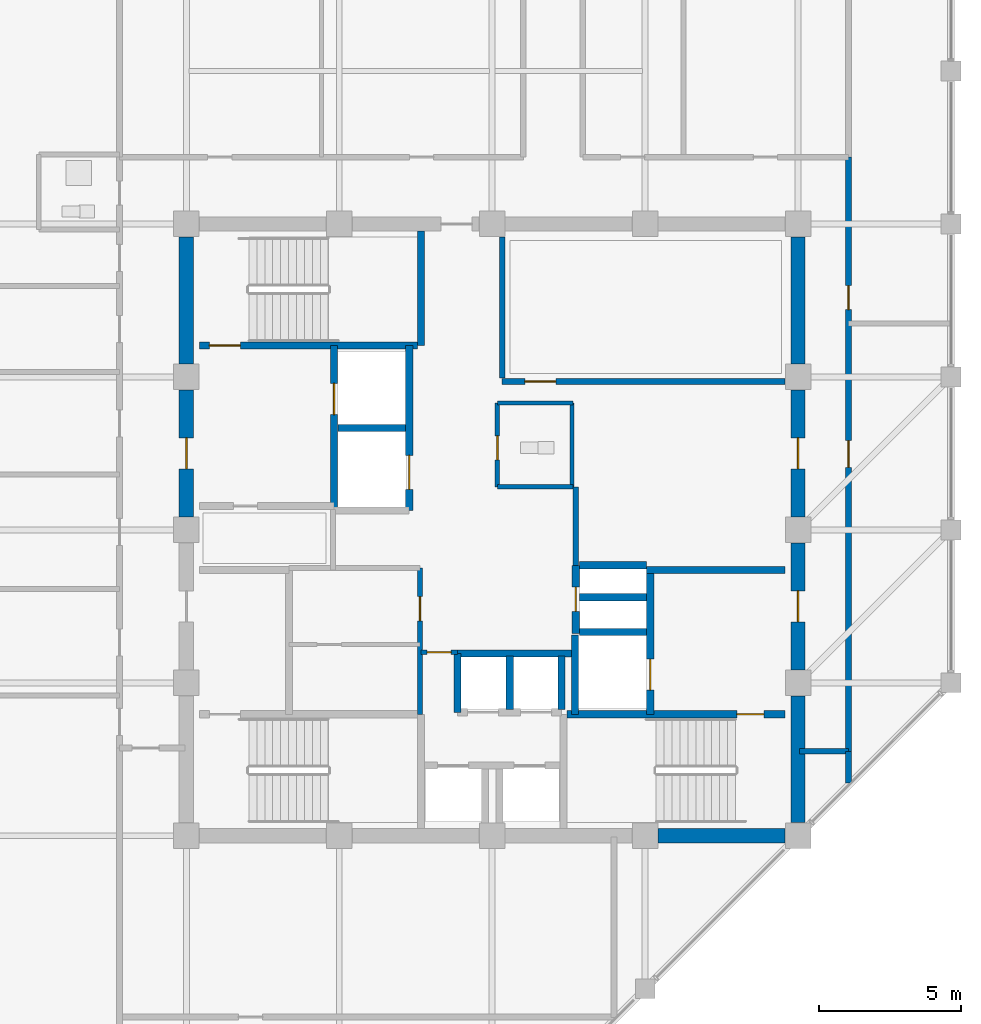
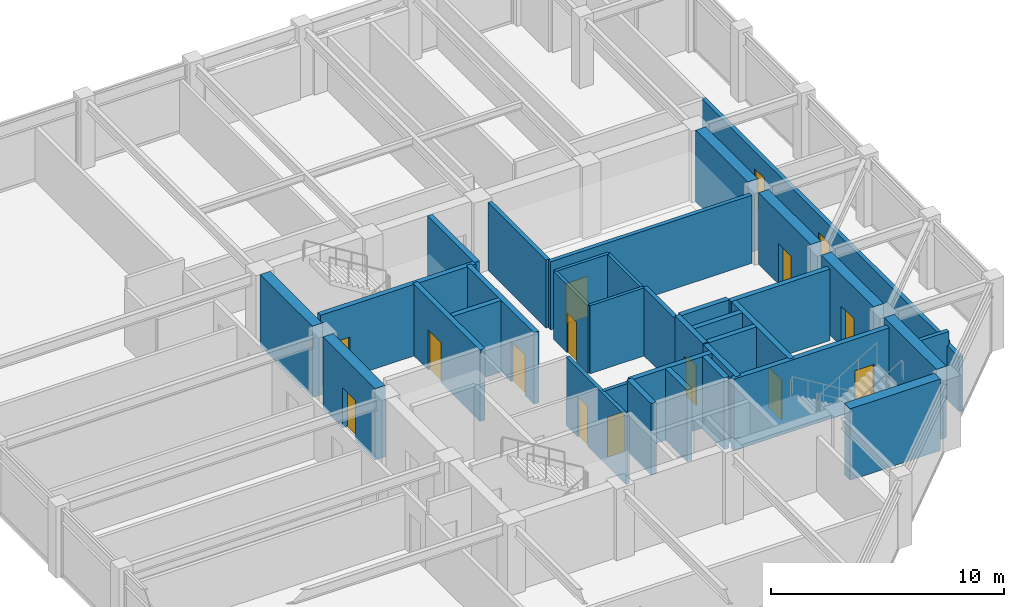
# One storey, part 27 of 30: 36 walls, 15 doors, 15 openings.
"""IFC4 building model written with IfcOpenShell, lengths in metres."""

import ifcopenshell
import ifcopenshell.guid

model = None  # the IFC model being written
_history = None  # IfcOwnerHistory: only IFC2X3 demands one
_inside = {}  # id of a spatial element -> (the spatial element, [elements in it])
_under = {}  # id of a project, library or spatial element -> (it, [spatial elements below it])
_declared = {}  # id of a project -> (the project, [libraries it declares])
_typed = {}  # id of a type object -> (the type object, [elements of that type])
_made_of = {}  # id of a material, layer set ... -> (it, [elements and type objects made of it])


def new_model(schema):
    """Start an empty IFC model of exactly this schema.

    Asked for "IFC4X3", IfcOpenShell would pick the latest addendum, in which some entities
    have other attributes; the version numbers below select the first issue.
    IFC2X3 requires an IfcOwnerHistory on every rooted entity: one is made here for all.
    """
    global model, _history
    if schema == "IFC4X3":
        model = ifcopenshell.file(schema_version=(4, 3, 0, 0))
    else:
        model = ifcopenshell.file(schema=schema)
    _inside.clear()
    _under.clear()
    _declared.clear()
    _typed.clear()
    _made_of.clear()
    _history = None
    if model.schema == "IFC2X3":
        org = make("IfcOrganization", Name="unknown")
        user = make(
            "IfcPersonAndOrganization",
            ThePerson=make("IfcPerson", FamilyName="unknown"),
            TheOrganization=org,
        )
        app = make(
            "IfcApplication",
            ApplicationDeveloper=org,
            Version="unknown",
            ApplicationFullName="unknown",
            ApplicationIdentifier="unknown",
        )
        _history = make(
            "IfcOwnerHistory",
            OwningUser=user,
            OwningApplication=app,
            ChangeAction="ADDED",
            CreationDate=0,
        )
    return model


def make(cls, **values):
    """One entity of the class cls with the attributes given. An attribute that is None is left unset."""
    return model.create_entity(
        cls, **{name: value for name, value in values.items() if value is not None}
    )


def rooted(cls, **values):
    """An entity with a GlobalId (a new one), such as an element, a storey or a relation."""
    return make(cls, GlobalId=ifcopenshell.guid.new(), OwnerHistory=_history, **values)


def si_unit(unit_type, name, prefix=None):
    """IfcSIUnit, for example si_unit("LENGTHUNIT", "METRE", prefix="MILLI")."""
    return make("IfcSIUnit", UnitType=unit_type, Prefix=prefix, Name=name)


def assignment(units):
    """IfcUnitAssignment: the units of a project."""
    return None if units is None else make("IfcUnitAssignment", Units=units)


def point(xyz):
    """IfcCartesianPoint."""
    return None if xyz is None else make("IfcCartesianPoint", Coordinates=xyz)


def direction(xyz):
    """IfcDirection."""
    return None if xyz is None else make("IfcDirection", DirectionRatios=xyz)


def frame(location, z_axis=None, x_axis=None):
    """IfcAxis2Placement3D, a coordinate frame: its origin and axes. An axis left out is left unset."""
    return make(
        "IfcAxis2Placement3D",
        Location=point(location),
        Axis=direction(z_axis),
        RefDirection=direction(x_axis),
    )


def frame_2d(location, x_axis=None):
    """IfcAxis2Placement2D, a coordinate frame in the plane: its origin and x axis."""
    return make(
        "IfcAxis2Placement2D", Location=point(location), RefDirection=direction(x_axis)
    )


def origin():
    """The frame at (0, 0, 0) with its axes left unset."""
    return frame((0.0, 0.0, 0.0))


def place(relative_to, where):
    """IfcLocalPlacement: puts the frame where relative to a parent placement (None: the world)."""
    return make(
        "IfcLocalPlacement", PlacementRelTo=relative_to, RelativePlacement=where
    )


def context(
    kind, dimensions, precision=None, world=None, true_north=None, identifier=None
):
    """IfcGeometricRepresentationContext, for example the 3D "Model" context."""
    return make(
        "IfcGeometricRepresentationContext",
        ContextIdentifier=identifier,
        ContextType=kind,
        CoordinateSpaceDimension=dimensions,
        Precision=precision,
        WorldCoordinateSystem=world,
        TrueNorth=true_north,
    )


def subcontext(parent, identifier, kind, view, scale=None):
    """IfcGeometricRepresentationSubContext, for example "Body" below "Model"."""
    return make(
        "IfcGeometricRepresentationSubContext",
        ContextIdentifier=identifier,
        ContextType=kind,
        ParentContext=parent,
        TargetScale=scale,
        TargetView=view,
    )


def project(units=None, contexts=None):
    """IfcProject with its units and contexts."""
    return rooted(
        "IfcProject",
        Name="project",
        RepresentationContexts=contexts,
        UnitsInContext=assignment(units),
    )


def spatial(cls, under=None, at=None, **own):
    """A site, building, storey or space (cls), placed at a placement, below another one or the project."""
    s = rooted(cls, ObjectPlacement=at, **own)
    if under is not None:
        _under.setdefault(under.id(), (under, []))[1].append(s)
    return s


def profile(cls, at=None, kind="AREA", **sizes):
    """A parametric profile (cls). Its sizes go by their IFC names, for example OverallWidth=200.0."""
    return make(cls, ProfileType=kind, Position=at, **sizes)


def rectangle(**sizes):
    """IfcRectangleProfileDef."""
    return profile("IfcRectangleProfileDef", **sizes)


def extrude(swept, where, along, depth):
    """IfcExtrudedAreaSolid: the profile swept, set in the frame where, extruded along a direction by depth."""
    return make(
        "IfcExtrudedAreaSolid",
        SweptArea=swept,
        Position=where,
        ExtrudedDirection=direction(along),
        Depth=depth,
    )


def shape(context_of_items, identifier, shape_type, items):
    """IfcShapeRepresentation: the items that make up one representation, for example the "Body"."""
    return make(
        "IfcShapeRepresentation",
        ContextOfItems=context_of_items,
        RepresentationIdentifier=identifier,
        RepresentationType=shape_type,
        Items=items,
    )


def material(Name=None, Category=None):
    """IfcMaterial."""
    return make("IfcMaterial", Name=Name, Category=Category)


def layer(
    of_material, thickness, ventilated=None, Name=None, Category=None, Priority=None
):
    """IfcMaterialLayer: one layer of a wall or slab, of a material (None: an air gap)."""
    return make(
        "IfcMaterialLayer",
        Material=of_material,
        LayerThickness=thickness,
        IsVentilated=ventilated,
        Name=Name,
        Category=Category,
        Priority=Priority,
    )


def layer_set(layers, Name=None):
    """IfcMaterialLayerSet."""
    return make("IfcMaterialLayerSet", MaterialLayers=layers, LayerSetName=Name)


def made_of(thing, what):
    """Note that an element or type object is made of a material, layer set ...; save() writes the relation."""
    if what is not None:
        _made_of.setdefault(what.id(), (what, []))[1].append(thing)
    return thing


def type_object(cls, material=None, **own):
    """A type object (cls), such as IfcWallType, which elements share."""
    return made_of(rooted(cls, **own), material)


def element(
    cls,
    number,
    at=None,
    inside=None,
    cuts=None,
    type_object=None,
    material=None,
    context=None,
    identifier="Body",
    shape_type=None,
    held_by="IfcProductDefinitionShape",
    body=None,
    shapes=None,
    **own,
):
    """One element of the class cls, such as IfcWall. Its Tag is "e" and its number.

    at: its placement. inside: the storey or other place that contains it. cuts: it is an
    opening in that element (IfcRelVoidsElement). A single representation is given by context,
    identifier, shape_type and body (its items); several are given by shapes. held_by: the class
    of the entity that holds the representations. save() writes the other relations.
    """
    e = rooted(cls, Tag="e%d" % number, ObjectPlacement=at, **own)
    if body is not None:
        shapes = [shape(context, identifier, shape_type, body)]
    if shapes is not None:
        e.Representation = make(held_by, Representations=shapes)
    if inside is not None:
        _inside.setdefault(inside.id(), (inside, []))[1].append(e)
    if cuts is not None:
        rooted(
            "IfcRelVoidsElement", RelatingBuildingElement=cuts, RelatedOpeningElement=e
        )
    if type_object is not None:
        _typed.setdefault(type_object.id(), (type_object, []))[1].append(e)
    return made_of(e, material)


def fill(opening, filler):
    """IfcRelFillsElement: the door or window that sits in an opening."""
    return rooted(
        "IfcRelFillsElement",
        RelatingOpeningElement=opening,
        RelatedBuildingElement=filler,
    )


def aggregate(whole, parts):
    """IfcRelAggregates: a whole, such as a stair, and the parts it consists of."""
    return rooted("IfcRelAggregates", RelatingObject=whole, RelatedObjects=parts)


def save(model, path):
    """Write the relations noted so far, then the file.

    IfcRelAggregates (storeys below a building ...), IfcRelContainedInSpatialStructure (elements
    in a storey), IfcRelDefinesByType, IfcRelAssociatesMaterial and IfcRelDeclares: one each for
    every whole, place, type object, material and project.
    """
    for whole, parts in _under.values():
        aggregate(whole, parts)
    for where, things in _inside.values():
        rooted(
            "IfcRelContainedInSpatialStructure",
            RelatedElements=things,
            RelatingStructure=where,
        )
    for kind, things in _typed.values():
        rooted("IfcRelDefinesByType", RelatedObjects=things, RelatingType=kind)
    for what, things in _made_of.values():
        rooted("IfcRelAssociatesMaterial", RelatedObjects=things, RelatingMaterial=what)
    for by, libraries in _declared.values():
        rooted("IfcRelDeclares", RelatingContext=by, RelatedDefinitions=libraries)
    model.write(path)


model = new_model("IFC4")

# Units and contexts
model_context = context("Model", 3, precision=1e-05, world=origin(), true_north=direction((0.0, 1.0)))
body_context = subcontext(model_context, "Body", "Model", "MODEL_VIEW")
ifc_project = project(units=[si_unit("LENGTHUNIT", "METRE"), si_unit("AREAUNIT", "SQUARE_METRE"), si_unit("VOLUMEUNIT", "CUBIC_METRE"), si_unit("PLANEANGLEUNIT", "RADIAN"), si_unit("MASSUNIT", "GRAM", prefix="KILO")], contexts=[model_context])

# Site, building, storey
site_placement = place(None, origin())
site = spatial("IfcSite", under=ifc_project, at=site_placement, CompositionType="ELEMENT")
building_placement = place(site_placement, origin())
building = spatial("IfcBuilding", under=site, at=building_placement, Name="Surkhivell Harbour Commons", CompositionType="ELEMENT")
storey_placement = place(building_placement, frame((0.0, 0.0, 296.25)))
storey = spatial("IfcBuildingStorey", under=building, at=storey_placement, Name="L77", CompositionType="ELEMENT", Elevation=296.25)

# Wall
ifc_material_1 = material(Name="Concrete C50/60", Category="concrete")
ifc_layer_1 = layer(ifc_material_1, 0.5)
ifc_layer_set_1 = layer_set([ifc_layer_1], Name="Concrete C50/60")
wall_type_1 = type_object("IfcWallType", Name="WAL-CORE-500", PredefinedType="SHEAR", material=ifc_layer_set_1)
wall_1_placement = place(storey_placement, frame((10.800048828125, -10.340087890625, 0.0), z_axis=(0.0, 0.0, 1.0), x_axis=(0.0, 1.0, 0.0)))
element("IfcWall", 1, at=wall_1_placement, inside=storey, type_object=wall_type_1, Name="L77 Core Shear Wall East 1", PredefinedType="SHEAR", context=body_context, shape_type="SweptSolid", body=[
    extrude(rectangle(XDim=4.47998046875, YDim=0.5, at=frame_2d((2.239990234375, 0.0))), origin(), (0.0, 0.0, 1.0), 3.75),
])

# Wall, opening, door
wall_2_placement = place(storey_placement, frame((10.800048828125, -4.93994140625, 0.0), z_axis=(0.0, 0.0, 1.0), x_axis=(0.0, 1.0, 0.0)))
wall_2 = element("IfcWall", 2, at=wall_2_placement, inside=storey, type_object=wall_type_1, Name="L77 Core Shear Wall East 2", PredefinedType="SHEAR", context=body_context, shape_type="SweptSolid", body=[
    extrude(rectangle(XDim=4.47998046875, YDim=0.5, at=frame_2d((2.239990234375, 0.0))), origin(), (0.0, 0.0, 1.0), 3.75),
])
opening_1_placement = place(wall_2_placement, frame((1.68994140625, 0.0, 0.0)))
opening_1 = element("IfcOpeningElement", 3, at=opening_1_placement, cuts=wall_2, Name="Opening ID-1", PredefinedType="OPENING", context=body_context, shape_type="SweptSolid", body=[
    extrude(rectangle(XDim=1.10009765625, YDim=2.10009765625, at=frame_2d((0.550048828125, 1.050048828125))), frame((0.0, 0.260009765625, 0.0), z_axis=(0.0, -1.0, 0.0), x_axis=(1.0, 0.0, 0.0)), (0.0, 0.0, 1.0), 0.52001953125),
])
ifc_material_2 = material(Name="Hardwood-veneered fire-rated door leaf", Category="wood")
door_type_1 = type_object("IfcDoorType", Name="DOR-FD120-1100", OperationType="NOTDEFINED", PredefinedType="DOOR", material=ifc_material_2)
door_1_placement = place(opening_1_placement, origin())
door_1 = element("IfcDoor", 4, at=door_1_placement, inside=storey, type_object=door_type_1, Name="L77 Firefighting Lobby 2 Corridor Door", OperationType="SINGLE_SWING_RIGHT", OverallHeight=2.10009765625, OverallWidth=1.10009765625, PredefinedType="DOOR", context=body_context, shape_type="SweptSolid", body=[
    extrude(rectangle(XDim=1.10009765625, YDim=2.10009765625, at=frame_2d((0.550048828125, 1.050048828125))), frame((0.0, 0.02490234375, 0.0), z_axis=(0.0, -1.0, 0.0), x_axis=(1.0, 0.0, 0.0)), (0.0, 0.0, 1.0), 0.050048828125),
])
fill(opening_1, door_1)

wall_3_placement = place(storey_placement, frame((-10.800048828125, 0.4599609375, 0.0), z_axis=(0.0, 0.0, 1.0), x_axis=(0.0, 1.0, 0.0)))
wall_3 = element("IfcWall", 5, at=wall_3_placement, inside=storey, type_object=wall_type_1, Name="L77 Core Shear Wall West 3", PredefinedType="SHEAR", context=body_context, shape_type="SweptSolid", body=[
    extrude(rectangle(XDim=4.47998046875, YDim=0.5, at=frame_2d((2.239990234375, 0.0))), origin(), (0.0, 0.0, 1.0), 3.75),
])
opening_2_placement = place(wall_3_placement, frame((1.68994140625, 0.0, 0.0)))
opening_2 = element("IfcOpeningElement", 6, at=opening_2_placement, cuts=wall_3, Name="Opening ID-1", PredefinedType="OPENING", context=body_context, shape_type="SweptSolid", body=[
    extrude(rectangle(XDim=1.10009765625, YDim=2.10009765625, at=frame_2d((0.550048828125, 1.050048828125))), frame((0.0, 0.260009765625, 0.0), z_axis=(0.0, -1.0, 0.0), x_axis=(1.0, 0.0, 0.0)), (0.0, 0.0, 1.0), 0.52001953125),
])
door_2_placement = place(opening_2_placement, origin())
door_2 = element("IfcDoor", 7, at=door_2_placement, inside=storey, type_object=door_type_1, Name="L77 Firefighting Lobby 1 Corridor Door", OperationType="SINGLE_SWING_LEFT", OverallHeight=2.10009765625, OverallWidth=1.10009765625, PredefinedType="DOOR", context=body_context, shape_type="SweptSolid", body=[
    extrude(rectangle(XDim=1.10009765625, YDim=2.10009765625, at=frame_2d((0.550048828125, 1.050048828125))), frame((0.0, 0.02490234375, 0.0), z_axis=(0.0, -1.0, 0.0), x_axis=(1.0, 0.0, 0.0)), (0.0, 0.0, 1.0), 0.050048828125),
])
fill(opening_2, door_2)

wall_4_placement = place(storey_placement, frame((10.800048828125, 0.4599609375, 0.0), z_axis=(0.0, 0.0, 1.0), x_axis=(0.0, 1.0, 0.0)))
wall_4 = element("IfcWall", 8, at=wall_4_placement, inside=storey, type_object=wall_type_1, Name="L77 Core Shear Wall East 3", PredefinedType="SHEAR", context=body_context, shape_type="SweptSolid", body=[
    extrude(rectangle(XDim=4.47998046875, YDim=0.5, at=frame_2d((2.239990234375, 0.0))), origin(), (0.0, 0.0, 1.0), 3.75),
])
opening_3_placement = place(wall_4_placement, frame((1.68994140625, 0.0, 0.0)))
opening_3 = element("IfcOpeningElement", 9, at=opening_3_placement, cuts=wall_4, Name="Opening ID-2", PredefinedType="OPENING", context=body_context, shape_type="SweptSolid", body=[
    extrude(rectangle(XDim=1.10009765625, YDim=2.10009765625, at=frame_2d((0.550048828125, 1.050048828125))), frame((0.0, 0.260009765625, 0.0), z_axis=(0.0, -1.0, 0.0), x_axis=(1.0, 0.0, 0.0)), (0.0, 0.0, 1.0), 0.52001953125),
])
door_type_2 = type_object("IfcDoorType", Name="DOR-FD60-1100", OperationType="NOTDEFINED", PredefinedType="DOOR", material=ifc_material_2)
door_3_placement = place(opening_3_placement, origin())
door_3 = element("IfcDoor", 10, at=door_3_placement, inside=storey, type_object=door_type_2, Name="L77 Reading Room East Door", OperationType="SINGLE_SWING_RIGHT", OverallHeight=2.10009765625, OverallWidth=1.10009765625, PredefinedType="DOOR", context=body_context, shape_type="SweptSolid", body=[
    extrude(rectangle(XDim=1.10009765625, YDim=2.10009765625, at=frame_2d((0.550048828125, 1.050048828125))), frame((0.0, 0.02490234375, 0.0), z_axis=(0.0, -1.0, 0.0), x_axis=(1.0, 0.0, 0.0)), (0.0, 0.0, 1.0), 0.050048828125),
])
fill(opening_3, door_3)

# Walls
for number, where, z_axis, x_axis, name in (
    (11, (5.860107421875, -10.800048828125, 0.0), (0.0, 0.0, 1.0), (1.0, 0.0, 0.0), "L77 Core Shear Wall South 4"),
    (12, (-10.800048828125, 5.860107421875, 0.0), (0.0, 0.0, 1.0), (0.0, 1.0, 0.0), "L77 Core Shear Wall West 4"),
    (13, (10.800048828125, 5.860107421875, 0.0), (0.0, 0.0, 1.0), (0.0, 1.0, 0.0), "L77 Core Shear Wall East 4"),
):
    element("IfcWall", number, at=place(storey_placement, frame(where, z_axis=z_axis, x_axis=x_axis)), inside=storey, type_object=wall_type_1, Name=name, PredefinedType="SHEAR", context=body_context, shape_type="SweptSolid", body=[
        extrude(rectangle(XDim=4.47998046875, YDim=0.5, at=frame_2d((2.239990234375, 0.0))), origin(), (0.0, 0.0, 1.0), 3.75),
    ])
ifc_material_3 = material(Name="Twin-stud acoustic fireboard partition", Category="other")
ifc_layer_2 = layer(ifc_material_3, 0.14990234375)
ifc_layer_set_2 = layer_set([ifc_layer_2], Name="Twin-stud acoustic fireboard partition")
wall_type_2 = type_object("IfcWallType", Name="WAL-INT-150", PredefinedType="PARTITIONING", material=ifc_layer_set_2)
wall_5_placement = place(storey_placement, frame((2.820068359375, 1.52001953125, 0.0), z_axis=(0.0, 0.0, 1.0), x_axis=(0.0, 1.0, 0.0)))
element("IfcWall", 14, at=wall_5_placement, inside=storey, type_object=wall_type_2, Name="L77 Core Accessible WC East Wall", PredefinedType="PARTITIONING", context=body_context, shape_type="SweptSolid", body=[
    extrude(rectangle(XDim=2.9599609375, YDim=0.14990234375, at=frame_2d((1.47998046875, 0.0))), origin(), (0.0, 0.0, 1.0), 3.570068359375),
])
for number, where, z_axis, x_axis, name in (
    (15, (0.179931640625, 4.47998046875, 0.0), (0.0, 0.0, 1.0), (1.0, 0.0, 0.0), "L77 Core Accessible WC North Wall"),
    (16, (0.179931640625, 1.52001953125, 0.0), (0.0, 0.0, 1.0), (1.0, 0.0, 0.0), "L77 Core Accessible WC South Wall"),
):
    element("IfcWall", number, at=place(storey_placement, frame(where, z_axis=z_axis, x_axis=x_axis)), inside=storey, type_object=wall_type_2, Name=name, PredefinedType="PARTITIONING", context=body_context, shape_type="SweptSolid", body=[
        extrude(rectangle(XDim=2.670166015625, YDim=0.14990234375, at=frame_2d((1.3349609375, 0.0))), origin(), (0.0, 0.0, 1.0), 3.570068359375),
    ])

# Wall, opening, door
wall_6_placement = place(storey_placement, frame((0.179931640625, 1.52001953125, 0.0), z_axis=(0.0, 0.0, 1.0), x_axis=(0.0, 1.0, 0.0)))
wall_6 = element("IfcWall", 17, at=wall_6_placement, inside=storey, type_object=wall_type_2, Name="L77 Core Accessible WC West Wall", PredefinedType="PARTITIONING", context=body_context, shape_type="SweptSolid", body=[
    extrude(rectangle(XDim=2.9599609375, YDim=0.14990234375, at=frame_2d((1.47998046875, 0.0))), origin(), (0.0, 0.0, 1.0), 3.570068359375),
])
opening_4_placement = place(wall_6_placement, frame((0.949951171875, 0.0, 0.0)))
opening_4 = element("IfcOpeningElement", 18, at=opening_4_placement, cuts=wall_6, Name="Opening ID-6", PredefinedType="OPENING", context=body_context, shape_type="SweptSolid", body=[
    extrude(rectangle(XDim=0.85009765625, YDim=2.10009765625, at=frame_2d((0.425048828125, 1.050048828125))), frame((0.0, 0.0849609375, 0.0), z_axis=(0.0, -1.0, 0.0), x_axis=(1.0, 0.0, 0.0)), (0.0, 0.0, 1.0), 0.169921875),
])
door_type_3 = type_object("IfcDoorType", Name="DOR-FD30-850", OperationType="NOTDEFINED", PredefinedType="DOOR", material=ifc_material_2)
door_4_placement = place(opening_4_placement, origin())
door_4 = element("IfcDoor", 19, at=door_4_placement, inside=storey, type_object=door_type_3, Name="L77 Floor Accessible WC Door", OperationType="SINGLE_SWING_RIGHT", OverallHeight=2.10009765625, OverallWidth=0.85009765625, PredefinedType="DOOR", context=body_context, shape_type="SweptSolid", body=[
    extrude(rectangle(XDim=0.85009765625, YDim=2.10009765625, at=frame_2d((0.425048828125, 1.050048828125))), frame((0.0, 0.02490234375, 0.0), z_axis=(0.0, -1.0, 0.0), x_axis=(1.0, 0.0, 0.0)), (0.0, 0.0, 1.0), 0.050048828125),
])
fill(opening_4, door_4)

ifc_material_4 = material(Name="High-density acoustic blockwork fire partition", Category="masonry")
ifc_layer_3 = layer(ifc_material_4, 0.175048828125)
ifc_layer_set_3 = layer_set([ifc_layer_3], Name="High-density acoustic blockwork fire partition")
wall_type_3 = type_object("IfcWallType", Name="WAL-INT-175", PredefinedType="PARTITIONING", material=ifc_layer_set_3)
wall_7_placement = place(storey_placement, frame((-2.550048828125, -6.510009765625, 0.0), z_axis=(0.0, 0.0, 1.0), x_axis=(0.0, 1.0, 0.0)))
wall_7 = element("IfcWall", 20, at=wall_7_placement, inside=storey, type_object=wall_type_3, Name="L77 Core Service Bay East Wall", PredefinedType="PARTITIONING", context=body_context, shape_type="SweptSolid", body=[
    extrude(rectangle(XDim=5.159912109375, YDim=0.175048828125, at=frame_2d((2.580078125, 0.0))), origin(), (0.0, 0.0, 1.0), 3.570068359375),
])
opening_5_placement = place(wall_7_placement, frame((3.300048828125, 0.0, 0.0)))
opening_5 = element("IfcOpeningElement", 21, at=opening_5_placement, cuts=wall_7, Name="Opening ID-6", PredefinedType="OPENING", context=body_context, shape_type="SweptSolid", body=[
    extrude(rectangle(XDim=0.85009765625, YDim=2.10009765625, at=frame_2d((0.425048828125, 1.050048828125))), frame((0.0, 0.097412109375, 0.0), z_axis=(0.0, -1.0, 0.0), x_axis=(1.0, 0.0, 0.0)), (0.0, 0.0, 1.0), 0.195068359375),
])
door_5_placement = place(opening_5_placement, origin())
door_5 = element("IfcDoor", 22, at=door_5_placement, inside=storey, type_object=door_type_3, Name="L77 Core Reading Alcove Door", OperationType="SINGLE_SWING_LEFT", OverallHeight=2.10009765625, OverallWidth=0.85009765625, PredefinedType="DOOR", context=body_context, shape_type="SweptSolid", body=[
    extrude(rectangle(XDim=0.85009765625, YDim=2.10009765625, at=frame_2d((0.425048828125, 1.050048828125))), frame((0.0, 0.02490234375, 0.0), z_axis=(0.0, -1.0, 0.0), x_axis=(1.0, 0.0, 0.0)), (0.0, 0.0, 1.0), 0.050048828125),
])
fill(opening_5, door_5)

wall_8_placement = place(storey_placement, frame((-2.52001953125, -4.320068359375, 0.0), z_axis=(0.0, 0.0, 1.0), x_axis=(1.0, 0.0, 0.0)))
wall_8 = element("IfcWall", 23, at=wall_8_placement, inside=storey, type_object=wall_type_3, Name="L77 High-Rise Lobby North Portal Wall", PredefinedType="PARTITIONING", context=body_context, shape_type="SweptSolid", body=[
    extrude(rectangle(XDim=1.300048828125, YDim=0.175048828125, at=frame_2d((0.64990234375, 0.0))), origin(), (0.0, 0.0, 1.0), 3.570068359375),
])
opening_6_placement = place(wall_8_placement, frame((0.219970703125, 0.0, 0.0)))
opening_6 = element("IfcOpeningElement", 24, at=opening_6_placement, cuts=wall_8, Name="Opening ID-6", PredefinedType="OPENING", context=body_context, shape_type="SweptSolid", body=[
    extrude(rectangle(XDim=0.85009765625, YDim=2.10009765625, at=frame_2d((0.425048828125, 1.050048828125))), frame((0.0, 0.097412109375, 0.0), z_axis=(0.0, -1.0, 0.0), x_axis=(1.0, 0.0, 0.0)), (0.0, 0.0, 1.0), 0.195068359375),
])
door_6_placement = place(opening_6_placement, origin())
door_6 = element("IfcDoor", 25, at=door_6_placement, inside=storey, type_object=door_type_3, Name="L77 High-Rise Lift Lobby North Door", OperationType="SINGLE_SWING_LEFT", OverallHeight=2.10009765625, OverallWidth=0.85009765625, PredefinedType="DOOR", context=body_context, shape_type="SweptSolid", body=[
    extrude(rectangle(XDim=0.85009765625, YDim=2.10009765625, at=frame_2d((0.425048828125, 1.050048828125))), frame((0.0, 0.02490234375, 0.0), z_axis=(0.0, -1.0, 0.0), x_axis=(1.0, 0.0, 0.0)), (0.0, 0.0, 1.0), 0.050048828125),
])
fill(opening_6, door_6)

ifc_material_5 = material(Name="Autoclaved aerated concrete blockwork and fire plaster", Category="masonry")
ifc_layer_4 = layer(ifc_material_5, 0.199951171875)
ifc_layer_set_4 = layer_set([ifc_layer_4], Name="Autoclaved aerated concrete blockwork and fire plaster")
wall_type_4 = type_object("IfcWallType", Name="WAL-INT-200", PredefinedType="PARTITIONING", material=ifc_layer_set_4)
wall_9_placement = place(storey_placement, frame((0.35009765625, 5.239990234375, 0.0), z_axis=(0.0, 0.0, 1.0), x_axis=(1.0, 0.0, 0.0)))
wall_9 = element("IfcWall", 26, at=wall_9_placement, inside=storey, type_object=wall_type_4, Name="L77 Reclaimed Core North Bay South Wall", PredefinedType="PARTITIONING", context=body_context, shape_type="SweptSolid", body=[
    extrude(rectangle(XDim=9.989990234375, YDim=0.199951171875, at=frame_2d((4.9951171875, 0.0))), origin(), (0.0, 0.0, 1.0), 3.570068359375),
])
opening_7_placement = place(wall_9_placement, frame((0.800048828125, 0.0, 0.0)))
opening_7 = element("IfcOpeningElement", 27, at=opening_7_placement, cuts=wall_9, Name="Opening ID-2", PredefinedType="OPENING", context=body_context, shape_type="SweptSolid", body=[
    extrude(rectangle(XDim=1.10009765625, YDim=2.10009765625, at=frame_2d((0.550048828125, 1.050048828125))), frame((0.0, 0.10986328125, 0.0), z_axis=(0.0, -1.0, 0.0), x_axis=(1.0, 0.0, 0.0)), (0.0, 0.0, 1.0), 0.219970703125),
])
door_7_placement = place(opening_7_placement, origin())
door_7 = element("IfcDoor", 28, at=door_7_placement, inside=storey, type_object=door_type_2, Name="L77 Reading Library Door", OperationType="SINGLE_SWING_LEFT", OverallHeight=2.10009765625, OverallWidth=1.10009765625, PredefinedType="DOOR", context=body_context, shape_type="SweptSolid", body=[
    extrude(rectangle(XDim=1.10009765625, YDim=2.10009765625, at=frame_2d((0.550048828125, 1.050048828125))), frame((0.0, 0.02490234375, 0.0), z_axis=(0.0, -1.0, 0.0), x_axis=(1.0, 0.0, 0.0)), (0.0, 0.0, 1.0), 0.050048828125),
])
fill(opening_7, door_7)

# Wall
wall_10_placement = place(storey_placement, frame((0.35009765625, 5.360107421875, 0.0), z_axis=(0.0, 0.0, 1.0), x_axis=(0.0, 1.0, 0.0)))
element("IfcWall", 29, at=wall_10_placement, inside=storey, type_object=wall_type_4, Name="L77 Reclaimed Core North Bay West Wall", PredefinedType="PARTITIONING", context=body_context, shape_type="SweptSolid", body=[
    extrude(rectangle(XDim=4.97998046875, YDim=0.199951171875, at=frame_2d((2.489990234375, 0.0))), origin(), (0.0, 0.0, 1.0), 3.570068359375),
])

# Wall, openings, doors
wall_11_placement = place(storey_placement, frame((12.580078125, -7.820068359375, 0.0), z_axis=(0.0, 0.0, 1.0), x_axis=(0.0, 1.0, 0.0)))
wall_11 = element("IfcWall", 30, at=wall_11_placement, inside=storey, type_object=wall_type_4, Name="L77 East Corridor Wall", PredefinedType="PARTITIONING", context=body_context, shape_type="SweptSolid", body=[
    extrude(rectangle(XDim=20.97998046875, YDim=0.199951171875, at=frame_2d((10.489990234375, 0.0))), origin(), (0.0, 0.0, 1.0), 3.012939453125),
])
opening_8_placement = place(wall_11_placement, frame((10.023193359375, 0.0, 0.0)))
opening_8 = element("IfcOpeningElement", 31, at=opening_8_placement, cuts=wall_11, Name="Opening ID-4", PredefinedType="OPENING", context=body_context, shape_type="SweptSolid", body=[
    extrude(rectangle(XDim=0.949951171875, YDim=2.10009765625, at=frame_2d((0.47509765625, 1.050048828125))), frame((0.0, 0.10986328125, 0.0), z_axis=(0.0, -1.0, 0.0), x_axis=(1.0, 0.0, 0.0)), (0.0, 0.0, 1.0), 0.219970703125),
])
opening_9_placement = place(wall_11_placement, frame((15.5927734375, 0.0, 0.0)))
opening_9 = element("IfcOpeningElement", 32, at=opening_9_placement, cuts=wall_11, Name="Opening ID-6", PredefinedType="OPENING", context=body_context, shape_type="SweptSolid", body=[
    extrude(rectangle(XDim=0.85009765625, YDim=2.10009765625, at=frame_2d((0.425048828125, 1.050048828125))), frame((0.0, 0.10986328125, 0.0), z_axis=(0.0, -1.0, 0.0), x_axis=(1.0, 0.0, 0.0)), (0.0, 0.0, 1.0), 0.219970703125),
])
door_8_placement = place(opening_9_placement, origin())
door_8 = element("IfcDoor", 33, at=door_8_placement, inside=storey, type_object=door_type_3, Name="L77 Resident Advisory Reception Desk East Door", OperationType="SINGLE_SWING_RIGHT", OverallHeight=2.10009765625, OverallWidth=0.85009765625, PredefinedType="DOOR", context=body_context, shape_type="SweptSolid", body=[
    extrude(rectangle(XDim=0.85009765625, YDim=2.10009765625, at=frame_2d((0.425048828125, 1.050048828125))), frame((0.0, 0.02490234375, 0.0), z_axis=(0.0, -1.0, 0.0), x_axis=(1.0, 0.0, 0.0)), (0.0, 0.0, 1.0), 0.050048828125),
])
fill(opening_9, door_8)
door_type_4 = type_object("IfcDoorType", Name="DOR-FD60-950", OperationType="NOTDEFINED", PredefinedType="DOOR", material=ifc_material_2)
door_9_placement = place(opening_8_placement, origin())
door_9 = element("IfcDoor", 34, at=door_9_placement, inside=storey, type_object=door_type_4, Name="L77 Zone Concierge Reception Foyer East Door", OperationType="SINGLE_SWING_LEFT", OverallHeight=2.10009765625, OverallWidth=0.949951171875, PredefinedType="DOOR", context=body_context, shape_type="SweptSolid", body=[
    extrude(rectangle(XDim=0.949951171875, YDim=2.10009765625, at=frame_2d((0.47509765625, 1.050048828125))), frame((0.0, 0.02490234375, 0.0), z_axis=(0.0, -1.0, 0.0), x_axis=(1.0, 0.0, 0.0)), (0.0, 0.0, 1.0), 0.050048828125),
])
fill(opening_8, door_9)

# Walls
wall_12_placement = place(storey_placement, frame((12.580078125, -8.93505859375, 0.0), z_axis=(0.0, 0.0, 1.0), x_axis=(0.0, 1.0, 0.0)))
element("IfcWall", 35, at=wall_12_placement, inside=storey, type_object=wall_type_4, Name="L77 East Wing South Closure Wall", PredefinedType="PARTITIONING", context=body_context, shape_type="SweptSolid", body=[
    extrude(rectangle(XDim=1.114990234375, YDim=0.199951171875, at=frame_2d((0.5576171875, 0.0))), origin(), (0.0, 0.0, 1.0), 2.85693359375),
])
wall_13_placement = place(storey_placement, frame((10.85009765625, -7.820068359375, 0.0), z_axis=(0.0, 0.0, 1.0), x_axis=(1.0, 0.0, 0.0)))
element("IfcWall", 36, at=wall_13_placement, inside=storey, type_object=wall_type_4, Name="L77 East Corridor South Closure Wall", PredefinedType="PARTITIONING", context=body_context, shape_type="SweptSolid", body=[
    extrude(rectangle(XDim=1.72998046875, YDim=0.199951171875, at=frame_2d((0.864990234375, 0.0))), origin(), (0.0, 0.0, 1.0), 3.570068359375),
])
wall_14_placement = place(storey_placement, frame((2.949951171875, -1.25, 0.0), z_axis=(0.0, 0.0, 1.0), x_axis=(0.0, 1.0, 0.0)))
element("IfcWall", 37, at=wall_14_placement, inside=storey, type_object=wall_type_4, Name="L77 Reclaimed East Core West Wall", PredefinedType="PARTITIONING", context=body_context, shape_type="SweptSolid", body=[
    extrude(rectangle(XDim=2.77001953125, YDim=0.199951171875, at=frame_2d((1.385009765625, 0.0))), origin(), (0.0, 0.0, 1.0), 3.570068359375),
])

# Wall, opening, door
ifc_layer_5 = layer(ifc_material_1, 0.25)
ifc_layer_set_5 = layer_set([ifc_layer_5], Name="Concrete C50/60")
wall_type_5 = type_object("IfcWallType", Name="WAL-SHAFT-250", PredefinedType="SHEAR", material=ifc_layer_set_5)
wall_15_placement = place(storey_placement, frame((-5.580078125, 0.719970703125, 0.0), z_axis=(0.0, 0.0, 1.0), x_axis=(0.0, 1.0, 0.0)))
wall_15 = element("IfcWall", 38, at=wall_15_placement, inside=storey, type_object=wall_type_5, Name="L77 Firefighting Lobby 1 East Shaft Wall", PredefinedType="SHEAR", context=body_context, shape_type="SweptSolid", body=[
    extrude(rectangle(XDim=5.7900390625, YDim=0.25, at=frame_2d((2.89501953125, 0.0))), origin(), (0.0, 0.0, 1.0), 3.75),
])
opening_10_placement = place(wall_15_placement, frame((3.35009765625, 0.0, 0.0)))
opening_10 = element("IfcOpeningElement", 39, at=opening_10_placement, cuts=wall_15, Name="Opening LD-1", PredefinedType="OPENING", context=body_context, shape_type="SweptSolid", body=[
    extrude(rectangle(XDim=1.10009765625, YDim=2.10009765625, at=frame_2d((0.550048828125, 1.050048828125))), frame((0.0, 0.135009765625, 0.0), z_axis=(0.0, -1.0, 0.0), x_axis=(1.0, 0.0, 0.0)), (0.0, 0.0, 1.0), 0.27001953125),
])
ifc_material_6 = material(Name="Brushed stainless steel S355", Category="steel")
door_type_5 = type_object("IfcDoorType", Name="DOR-LD-1100", OperationType="SLIDING_TO_LEFT", PredefinedType="DOOR", material=ifc_material_6)
door_10_placement = place(opening_10_placement, origin())
door_10 = element("IfcDoor", 40, at=door_10_placement, inside=storey, type_object=door_type_5, Name="L77 Lift Landing Door LD-FFL1", OperationType="SLIDING_TO_LEFT", OverallHeight=2.10009765625, OverallWidth=1.10009765625, PredefinedType="DOOR", context=body_context, shape_type="SweptSolid", body=[
    extrude(rectangle(XDim=1.10009765625, YDim=2.10009765625, at=frame_2d((0.550048828125, 1.050048828125))), frame((0.0, 0.02490234375, 0.0), z_axis=(0.0, -1.0, 0.0), x_axis=(1.0, 0.0, 0.0)), (0.0, 0.0, 1.0), 0.050048828125),
])
fill(opening_10, door_10)

# Walls
wall_16_placement = place(storey_placement, frame((2.929931640625, -6.510009765625, 0.0), z_axis=(0.0, 0.0, 1.0), x_axis=(0.0, 1.0, 0.0)))
element("IfcWall", 41, at=wall_16_placement, inside=storey, type_object=wall_type_5, Name="L77 FFL2 West Shaft Wall", PredefinedType="SHEAR", context=body_context, shape_type="SweptSolid", body=[
    extrude(rectangle(XDim=2.7900390625, YDim=0.25, at=frame_2d((1.39501953125, 0.0))), origin(), (0.0, 0.0, 1.0), 3.75),
])
wall_17_placement = place(storey_placement, frame((5.43994140625, -1.419921875, 0.0), z_axis=(0.0, 0.0, 1.0), x_axis=(1.0, 0.0, 0.0)))
element("IfcWall", 42, at=wall_17_placement, inside=storey, type_object=wall_type_5, Name="L77 Firefighting Lobby 2 North Wall", PredefinedType="SHEAR", context=body_context, shape_type="SweptSolid", body=[
    extrude(rectangle(XDim=4.900146484375, YDim=0.25, at=frame_2d((2.4501953125, 0.0))), origin(), (0.0, 0.0, 1.0), 3.75),
])
wall_18_placement = place(storey_placement, frame((3.080078125, -3.60009765625, 0.0), z_axis=(0.0, 0.0, 1.0), x_axis=(1.0, 0.0, 0.0)))
element("IfcWall", 43, at=wall_18_placement, inside=storey, type_object=wall_type_5, Name="L77 FFL2 North Shaft Wall", PredefinedType="SHEAR", context=body_context, shape_type="SweptSolid", body=[
    extrude(rectangle(XDim=2.369873046875, YDim=0.25, at=frame_2d((1.18505859375, 0.0))), origin(), (0.0, 0.0, 1.0), 3.75),
])

# Wall, opening, door
wall_19_placement = place(storey_placement, frame((5.580078125, -6.510009765625, 0.0), z_axis=(0.0, 0.0, 1.0), x_axis=(0.0, 1.0, 0.0)))
wall_19 = element("IfcWall", 44, at=wall_19_placement, inside=storey, type_object=wall_type_5, Name="L77 Firefighting Lobby 2 West Shaft Wall", PredefinedType="SHEAR", context=body_context, shape_type="SweptSolid", body=[
    extrude(rectangle(XDim=5.090087890625, YDim=0.25, at=frame_2d((2.544921875, 0.0))), origin(), (0.0, 0.0, 1.0), 3.75),
])
opening_11_placement = place(wall_19_placement, frame((0.85009765625, 0.0, 0.0)))
opening_11 = element("IfcOpeningElement", 45, at=opening_11_placement, cuts=wall_19, Name="Opening LD-1", PredefinedType="OPENING", context=body_context, shape_type="SweptSolid", body=[
    extrude(rectangle(XDim=1.10009765625, YDim=2.10009765625, at=frame_2d((0.550048828125, 1.050048828125))), frame((0.0, 0.135009765625, 0.0), z_axis=(0.0, -1.0, 0.0), x_axis=(1.0, 0.0, 0.0)), (0.0, 0.0, 1.0), 0.27001953125),
])
door_11_placement = place(opening_11_placement, origin())
door_11 = element("IfcDoor", 46, at=door_11_placement, inside=storey, type_object=door_type_5, Name="L77 Lift Landing Door LD-FFL2", OperationType="SLIDING_TO_RIGHT", OverallHeight=2.10009765625, OverallWidth=1.10009765625, PredefinedType="DOOR", context=body_context, shape_type="SweptSolid", body=[
    extrude(rectangle(XDim=1.10009765625, YDim=2.10009765625, at=frame_2d((0.550048828125, 1.050048828125))), frame((0.0, 0.02490234375, 0.0), z_axis=(0.0, -1.0, 0.0), x_axis=(1.0, 0.0, 0.0)), (0.0, 0.0, 1.0), 0.050048828125),
])
fill(opening_11, door_11)

# Walls
for number, where, z_axis, x_axis, name in (
    (47, (0.6201171875, -6.340087890625, 0.0), (0.0, 0.0, 1.0), (0.0, 1.0, 0.0), "L77 High-Rise Side Wall N"),
    (48, (2.449951171875, -6.340087890625, 0.0), (0.0, 0.0, 1.0), (0.0, 1.0, 0.0), "L77 High-Rise Side Wall N"),
):
    element("IfcWall", number, at=place(storey_placement, frame(where, z_axis=z_axis, x_axis=x_axis)), inside=storey, type_object=wall_type_5, Name=name, PredefinedType="SHEAR", context=body_context, shape_type="SweptSolid", body=[
        extrude(rectangle(XDim=1.880126953125, YDim=0.25, at=frame_2d((0.93994140625, 0.0))), origin(), (0.0, 0.0, 1.0), 3.75),
    ])
wall_20_placement = place(storey_placement, frame((-1.219970703125, -6.43994140625, 0.0), z_axis=(0.0, 0.0, 1.0), x_axis=(0.0, 1.0, 0.0)))
element("IfcWall", 49, at=wall_20_placement, inside=storey, type_object=wall_type_5, Name="L77 High-Rise Passage East Shaft Wall", PredefinedType="SHEAR", context=body_context, shape_type="SweptSolid", body=[
    extrude(rectangle(XDim=2.079833984375, YDim=0.25, at=frame_2d((1.0400390625, 0.0))), origin(), (0.0, 0.0, 1.0), 3.75),
])
wall_21_placement = place(storey_placement, frame((-1.219970703125, -4.360107421875, 0.0), z_axis=(0.0, 0.0, 1.0), x_axis=(1.0, 0.0, 0.0)))
element("IfcWall", 50, at=wall_21_placement, inside=storey, type_object=wall_type_5, Name="L77 High-Rise North Back Shaft Wall", PredefinedType="SHEAR", context=body_context, shape_type="SweptSolid", body=[
    extrude(rectangle(XDim=4.030029296875, YDim=0.25, at=frame_2d((2.01513671875, 0.0))), origin(), (0.0, 0.0, 1.0), 3.75),
])
for number, where, z_axis, x_axis, name in (
    (51, (3.080078125, -2.3798828125, 0.0), (0.0, 0.0, 1.0), (1.0, 0.0, 0.0), "L77 Riser Divider Wall"),
    (52, (3.080078125, -1.25, 0.0), (0.0, 0.0, 1.0), (1.0, 0.0, 0.0), "L77 Riser North Wall"),
):
    element("IfcWall", number, at=place(storey_placement, frame(where, z_axis=z_axis, x_axis=x_axis)), inside=storey, type_object=wall_type_5, Name=name, PredefinedType="SHEAR", context=body_context, shape_type="SweptSolid", body=[
        extrude(rectangle(XDim=2.369873046875, YDim=0.25, at=frame_2d((1.18505859375, 0.0))), origin(), (0.0, 0.0, 1.0), 3.75),
    ])

# Wall, opening, door
wall_22_placement = place(storey_placement, frame((2.949951171875, -3.64990234375, 0.0), z_axis=(0.0, 0.0, 1.0), x_axis=(0.0, 1.0, 0.0)))
wall_22 = element("IfcWall", 53, at=wall_22_placement, inside=storey, type_object=wall_type_5, Name="L77 Riser Shaft West Wall", PredefinedType="SHEAR", context=body_context, shape_type="SweptSolid", body=[
    extrude(rectangle(XDim=2.39990234375, YDim=0.25, at=frame_2d((1.199951171875, 0.0))), origin(), (0.0, 0.0, 1.0), 3.75),
])
opening_12_placement = place(wall_22_placement, frame((0.77490234375, 0.0, 0.0)))
opening_12 = element("IfcOpeningElement", 54, at=opening_12_placement, cuts=wall_22, Name="Opening ID-6", PredefinedType="OPENING", context=body_context, shape_type="SweptSolid", body=[
    extrude(rectangle(XDim=0.85009765625, YDim=2.10009765625, at=frame_2d((0.425048828125, 1.050048828125))), frame((0.0, 0.135009765625, 0.0), z_axis=(0.0, -1.0, 0.0), x_axis=(1.0, 0.0, 0.0)), (0.0, 0.0, 1.0), 0.27001953125),
])
door_12_placement = place(opening_12_placement, origin())
door_12 = element("IfcDoor", 55, at=door_12_placement, inside=storey, type_object=door_type_3, Name="L77 Electrical Riser Access Door", OperationType="SINGLE_SWING_LEFT", OverallHeight=2.10009765625, OverallWidth=0.85009765625, PredefinedType="DOOR", context=body_context, shape_type="SweptSolid", body=[
    extrude(rectangle(XDim=0.85009765625, YDim=2.10009765625, at=frame_2d((0.425048828125, 1.050048828125))), frame((0.0, 0.02490234375, 0.0), z_axis=(0.0, -1.0, 0.0), x_axis=(1.0, 0.0, 0.0)), (0.0, 0.0, 1.0), 0.050048828125),
])
fill(opening_12, door_12)

# Wall
wall_23_placement = place(storey_placement, frame((-2.510009765625, 6.510009765625, 0.0), z_axis=(0.0, 0.0, 1.0), x_axis=(0.0, 1.0, 0.0)))
element("IfcWall", 56, at=wall_23_placement, inside=storey, type_object=wall_type_5, Name="L77 Stair ST1 East Shear Wall", PredefinedType="SHEAR", context=body_context, shape_type="SweptSolid", body=[
    extrude(rectangle(XDim=4.0400390625, YDim=0.25, at=frame_2d((2.02001953125, 0.0))), origin(), (0.0, 0.0, 1.0), 3.75),
])

# Wall, opening, door
wall_24_placement = place(storey_placement, frame((-10.340087890625, 6.510009765625, 0.0), z_axis=(0.0, 0.0, 1.0), x_axis=(1.0, 0.0, 0.0)))
wall_24 = element("IfcWall", 57, at=wall_24_placement, inside=storey, type_object=wall_type_5, Name="L77 Stair ST1 South Shear Wall", PredefinedType="SHEAR", context=body_context, shape_type="SweptSolid", body=[
    extrude(rectangle(XDim=7.7001953125, YDim=0.25, at=frame_2d((3.85009765625, 0.0))), origin(), (0.0, 0.0, 1.0), 3.75),
])
opening_13_placement = place(wall_24_placement, frame((0.35009765625, 0.0, 0.0)))
opening_13 = element("IfcOpeningElement", 58, at=opening_13_placement, cuts=wall_24, Name="Opening ID-2", PredefinedType="OPENING", context=body_context, shape_type="SweptSolid", body=[
    extrude(rectangle(XDim=1.10009765625, YDim=2.10009765625, at=frame_2d((0.550048828125, 1.050048828125))), frame((0.0, 0.135009765625, 0.0), z_axis=(0.0, -1.0, 0.0), x_axis=(1.0, 0.0, 0.0)), (0.0, 0.0, 1.0), 0.27001953125),
])
door_13_placement = place(opening_13_placement, origin())
door_13 = element("IfcDoor", 59, at=door_13_placement, inside=storey, type_object=door_type_2, Name="L77 Stair ST1 Exit Door", OperationType="SINGLE_SWING_LEFT", OverallHeight=2.10009765625, OverallWidth=1.10009765625, PredefinedType="DOOR", context=body_context, shape_type="SweptSolid", body=[
    extrude(rectangle(XDim=1.10009765625, YDim=2.10009765625, at=frame_2d((0.550048828125, 1.050048828125))), frame((0.0, 0.02490234375, 0.0), z_axis=(0.0, -1.0, 0.0), x_axis=(1.0, 0.0, 0.0)), (0.0, 0.0, 1.0), 0.050048828125),
])
fill(opening_13, door_13)

wall_25_placement = place(storey_placement, frame((2.639892578125, -6.510009765625, 0.0), z_axis=(0.0, 0.0, 1.0), x_axis=(1.0, 0.0, 0.0)))
wall_25 = element("IfcWall", 60, at=wall_25_placement, inside=storey, type_object=wall_type_5, Name="L77 Stair ST2 North Shear Wall", PredefinedType="SHEAR", context=body_context, shape_type="SweptSolid", body=[
    extrude(rectangle(XDim=7.7001953125, YDim=0.25, at=frame_2d((3.85009765625, 0.0))), origin(), (0.0, 0.0, 1.0), 3.75),
])
opening_14_placement = place(wall_25_placement, frame((6.0, 0.0, 0.0)))
opening_14 = element("IfcOpeningElement", 61, at=opening_14_placement, cuts=wall_25, Name="Opening ID-4", PredefinedType="OPENING", context=body_context, shape_type="SweptSolid", body=[
    extrude(rectangle(XDim=0.949951171875, YDim=2.10009765625, at=frame_2d((0.47509765625, 1.050048828125))), frame((0.0, 0.135009765625, 0.0), z_axis=(0.0, -1.0, 0.0), x_axis=(1.0, 0.0, 0.0)), (0.0, 0.0, 1.0), 0.27001953125),
])
door_14_placement = place(opening_14_placement, origin())
door_14 = element("IfcDoor", 62, at=door_14_placement, inside=storey, type_object=door_type_4, Name="L77 Stair ST2 Exit Door", OperationType="SINGLE_SWING_RIGHT", OverallHeight=2.10009765625, OverallWidth=0.949951171875, PredefinedType="DOOR", context=body_context, shape_type="SweptSolid", body=[
    extrude(rectangle(XDim=0.949951171875, YDim=2.10009765625, at=frame_2d((0.47509765625, 1.050048828125))), frame((0.0, 0.02490234375, 0.0), z_axis=(0.0, -1.0, 0.0), x_axis=(1.0, 0.0, 0.0)), (0.0, 0.0, 1.0), 0.050048828125),
])
fill(opening_14, door_14)

wall_26_placement = place(storey_placement, frame((-2.929931640625, 0.679931640625, 0.0), z_axis=(0.0, 0.0, 1.0), x_axis=(0.0, 1.0, 0.0)))
wall_26 = element("IfcWall", 63, at=wall_26_placement, inside=storey, type_object=wall_type_5, Name="L77 Service and Fire Lift East Shaft Wall", PredefinedType="SHEAR", context=body_context, shape_type="SweptSolid", body=[
    extrude(rectangle(XDim=5.830078125, YDim=0.25, at=frame_2d((2.9150390625, 0.0))), origin(), (0.0, 0.0, 1.0), 3.75),
])
opening_15_placement = place(wall_26_placement, frame((0.75, 0.0, 0.0)))
opening_15 = element("IfcOpeningElement", 64, at=opening_15_placement, cuts=wall_26, Name="Opening LD-2", PredefinedType="OPENING", context=body_context, shape_type="SweptSolid", body=[
    extrude(rectangle(XDim=1.199951171875, YDim=2.10009765625, at=frame_2d((0.60009765625, 1.050048828125))), frame((0.0, 0.135009765625, 0.0), z_axis=(0.0, -1.0, 0.0), x_axis=(1.0, 0.0, 0.0)), (0.0, 0.0, 1.0), 0.27001953125),
])
door_type_6 = type_object("IfcDoorType", Name="DOR-LD-1200", OperationType="SLIDING_TO_LEFT", PredefinedType="DOOR", material=ifc_material_6)
door_15_placement = place(opening_15_placement, origin())
door_15 = element("IfcDoor", 65, at=door_15_placement, inside=storey, type_object=door_type_6, Name="L77 Lift Landing Door LD-SVL1", OperationType="SLIDING_TO_LEFT", OverallHeight=2.10009765625, OverallWidth=1.199951171875, PredefinedType="DOOR", context=body_context, shape_type="SweptSolid", body=[
    extrude(rectangle(XDim=1.199951171875, YDim=2.10009765625, at=frame_2d((0.60009765625, 1.050048828125))), frame((0.0, 0.02490234375, 0.0), z_axis=(0.0, -1.0, 0.0), x_axis=(1.0, 0.0, 0.0)), (0.0, 0.0, 1.0), 0.050048828125),
])
fill(opening_15, door_15)

# Wall
wall_27_placement = place(storey_placement, frame((-5.449951171875, 3.60009765625, 0.0), z_axis=(0.0, 0.0, 1.0), x_axis=(1.0, 0.0, 0.0)))
element("IfcWall", 66, at=wall_27_placement, inside=storey, type_object=wall_type_5, Name="L77 FFL1/SVL1 Shaft Divider", PredefinedType="SHEAR", context=body_context, shape_type="SweptSolid", body=[
    extrude(rectangle(XDim=2.389892578125, YDim=0.25, at=frame_2d((1.19482421875, 0.0))), origin(), (0.0, 0.0, 1.0), 3.75),
])

save(model, "model.ifc")
